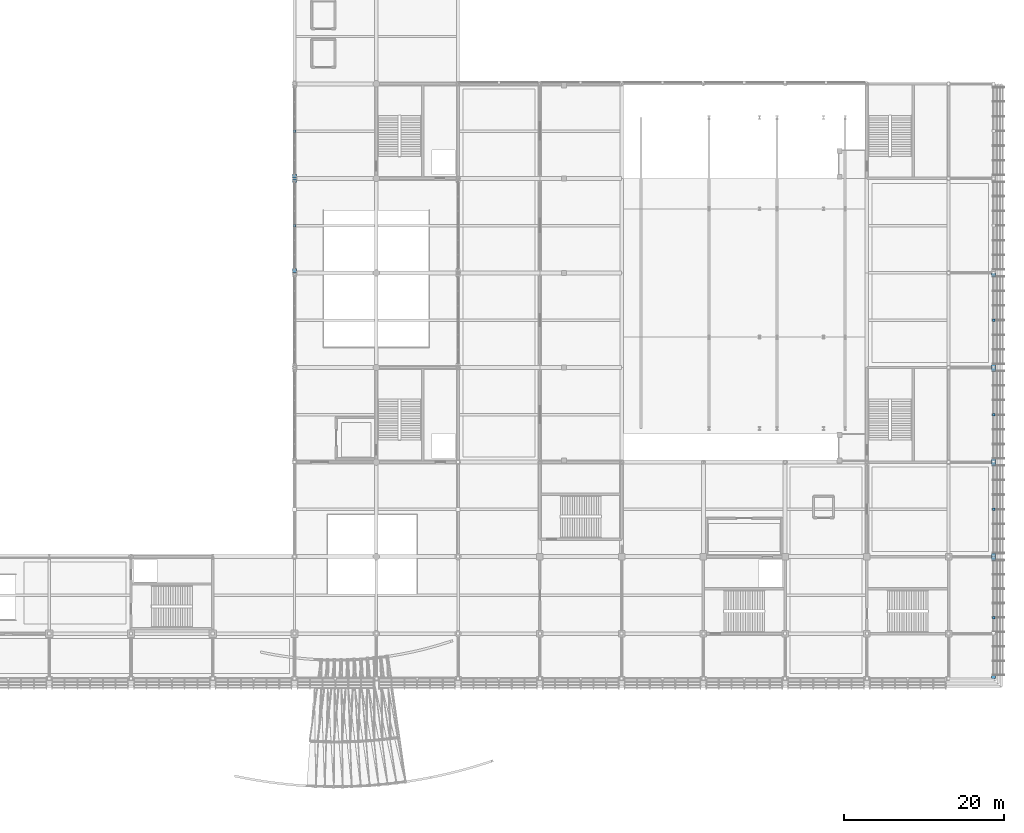
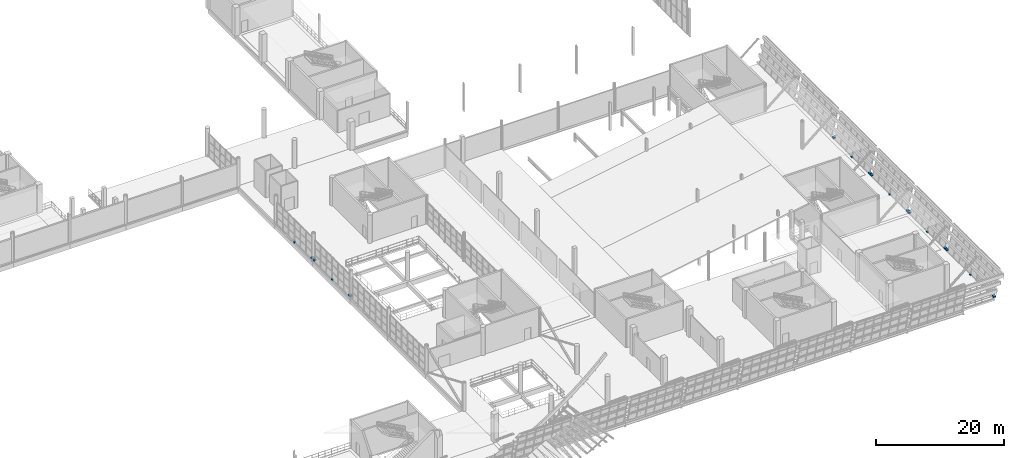
# One storey, part 147 of 175: 17 discrete accessories.
"""IFC4 building model written with IfcOpenShell, lengths in metres."""

from ifc_helpers import new_model, si_unit, direction, frame, origin, origin_2d, place, context, subcontext, project, spatial, rectangle, extrude, material, type_object, element, save


model = new_model("IFC4")

# Units and contexts
model_context = context("Model", 3, precision=1e-05, world=origin(), true_north=direction((0.0, 1.0)))
body_context = subcontext(model_context, "Body", "Model", "MODEL_VIEW")
ifc_project = project(units=[si_unit("LENGTHUNIT", "METRE"), si_unit("AREAUNIT", "SQUARE_METRE"), si_unit("VOLUMEUNIT", "CUBIC_METRE"), si_unit("PLANEANGLEUNIT", "RADIAN"), si_unit("MASSUNIT", "GRAM", prefix="KILO")], contexts=[model_context])

# Site, building, storey
site_placement = place(None, origin())
site = spatial("IfcSite", under=ifc_project, at=site_placement, CompositionType="ELEMENT")
building_placement = place(site_placement, origin())
building = spatial("IfcBuilding", under=site, at=building_placement, Name="Brelvane Convention Centre", CompositionType="ELEMENT")
storey_placement = place(building_placement, frame((0.0, 0.0, 5.39990234375)))
storey = spatial("IfcBuildingStorey", under=building, at=storey_placement, Name="L01", CompositionType="ELEMENT", Elevation=5.39990234375)

# Discrete accessories
ifc_material = material(Name="Steel E350 (350 MPa)", Category="steel")
discrete_accessory_type = type_object("IfcDiscreteAccessoryType", Name="Facade Outrigger Bracket BRK-02", PredefinedType="BRACKET", material=ifc_material)
for number, where, z_axis, x_axis, name in (
    (1, (230.0, 13.840087890625, 0.22998046875), (0.0, 0.0, 1.0), (1.0, 0.0, 0.0), "Curtain Wall Anchor Bracket L01-HULL-E-L01-1-L"),
    (2, (230.0, 28.56005859375, 0.22998046875), (0.0, 0.0, 1.0), (1.0, 0.0, 0.0), "Curtain Wall Anchor Bracket L01-HULL-E-L01-1-R"),
):
    element("IfcDiscreteAccessory", number, at=place(storey_placement, frame(where, z_axis=z_axis, x_axis=x_axis)), inside=storey, type_object=discrete_accessory_type, Name=name, PredefinedType="BRACKET", context=body_context, shape_type="SweptSolid", body=[
        extrude(rectangle(XDim=0.47998046875, YDim=0.47998046875, at=origin_2d()), origin(), (0.0, 0.0, 1.0), 0.239990234375),
    ])
discrete_accessory_1_placement = place(storey_placement, frame((230.0, 21.199951171875, -0.14013671875), z_axis=(0.0, 0.0, 1.0), x_axis=(1.0, 0.0, 0.0)))
element("IfcDiscreteAccessory", 3, at=discrete_accessory_1_placement, inside=storey, type_object=discrete_accessory_type, Name="Curtain Wall Anchor Bracket L01-HULL-E-L01-1-B", PredefinedType="BRACKET", context=body_context, shape_type="SweptSolid", body=[
    extrude(rectangle(XDim=0.320068359375, YDim=0.320068359375, at=origin_2d()), origin(), (0.0, 0.0, 1.0), 0.280029296875),
])
for number, where, z_axis, x_axis, name in (
    (4, (230.0, 29.0400390625, 0.22998046875), (0.0, 0.0, 1.0), (1.0, 0.0, 0.0), "Curtain Wall Anchor Bracket L01-HULL-E-L01-2-L"),
    (5, (230.0, 40.360107421875, 0.22998046875), (0.0, 0.0, 1.0), (1.0, 0.0, 0.0), "Curtain Wall Anchor Bracket L01-HULL-E-L01-2-R"),
):
    element("IfcDiscreteAccessory", number, at=place(storey_placement, frame(where, z_axis=z_axis, x_axis=x_axis)), inside=storey, type_object=discrete_accessory_type, Name=name, PredefinedType="BRACKET", context=body_context, shape_type="SweptSolid", body=[
        extrude(rectangle(XDim=0.47998046875, YDim=0.47998046875, at=origin_2d()), origin(), (0.0, 0.0, 1.0), 0.239990234375),
    ])
discrete_accessory_2_placement = place(storey_placement, frame((230.0, 34.699951171875, -0.14013671875), z_axis=(0.0, 0.0, 1.0), x_axis=(1.0, 0.0, 0.0)))
element("IfcDiscreteAccessory", 6, at=discrete_accessory_2_placement, inside=storey, type_object=discrete_accessory_type, Name="Curtain Wall Anchor Bracket L01-HULL-E-L01-2-B", PredefinedType="BRACKET", context=body_context, shape_type="SweptSolid", body=[
    extrude(rectangle(XDim=0.320068359375, YDim=0.320068359375, at=origin_2d()), origin(), (0.0, 0.0, 1.0), 0.280029296875),
])
for number, where, z_axis, x_axis, name in (
    (7, (230.0, 40.840087890625, 0.22998046875), (0.0, 0.0, 1.0), (1.0, 0.0, 0.0), "Curtain Wall Anchor Bracket L01-HULL-E-L01-3-L"),
    (8, (230.0, 52.159912109375, 0.22998046875), (0.0, 0.0, 1.0), (1.0, 0.0, 0.0), "Curtain Wall Anchor Bracket L01-HULL-E-L01-3-R"),
):
    element("IfcDiscreteAccessory", number, at=place(storey_placement, frame(where, z_axis=z_axis, x_axis=x_axis)), inside=storey, type_object=discrete_accessory_type, Name=name, PredefinedType="BRACKET", context=body_context, shape_type="SweptSolid", body=[
        extrude(rectangle(XDim=0.47998046875, YDim=0.47998046875, at=origin_2d()), origin(), (0.0, 0.0, 1.0), 0.239990234375),
    ])
discrete_accessory_3_placement = place(storey_placement, frame((230.0, 46.5, -0.14013671875), z_axis=(0.0, 0.0, 1.0), x_axis=(1.0, 0.0, 0.0)))
element("IfcDiscreteAccessory", 9, at=discrete_accessory_3_placement, inside=storey, type_object=discrete_accessory_type, Name="Curtain Wall Anchor Bracket L01-HULL-E-L01-3-B", PredefinedType="BRACKET", context=body_context, shape_type="SweptSolid", body=[
    extrude(rectangle(XDim=0.320068359375, YDim=0.320068359375, at=origin_2d()), origin(), (0.0, 0.0, 1.0), 0.280029296875),
])
for number, where, z_axis, x_axis, name in (
    (10, (230.0, 52.639892578125, 0.22998046875), (0.0, 0.0, 1.0), (1.0, 0.0, 0.0), "Curtain Wall Anchor Bracket L01-HULL-E-L01-4-L"),
    (11, (230.0, 63.9599609375, 0.22998046875), (0.0, 0.0, 1.0), (1.0, 0.0, 0.0), "Curtain Wall Anchor Bracket L01-HULL-E-L01-4-R"),
):
    element("IfcDiscreteAccessory", number, at=place(storey_placement, frame(where, z_axis=z_axis, x_axis=x_axis)), inside=storey, type_object=discrete_accessory_type, Name=name, PredefinedType="BRACKET", context=body_context, shape_type="SweptSolid", body=[
        extrude(rectangle(XDim=0.47998046875, YDim=0.47998046875, at=origin_2d()), origin(), (0.0, 0.0, 1.0), 0.239990234375),
    ])
discrete_accessory_4_placement = place(storey_placement, frame((230.0, 58.300048828125, -0.14013671875), z_axis=(0.0, 0.0, 1.0), x_axis=(1.0, 0.0, 0.0)))
element("IfcDiscreteAccessory", 12, at=discrete_accessory_4_placement, inside=storey, type_object=discrete_accessory_type, Name="Curtain Wall Anchor Bracket L01-HULL-E-L01-4-B", PredefinedType="BRACKET", context=body_context, shape_type="SweptSolid", body=[
    extrude(rectangle(XDim=0.320068359375, YDim=0.320068359375, at=origin_2d()), origin(), (0.0, 0.0, 1.0), 0.280029296875),
])
for number, where, z_axis, x_axis, name in (
    (13, (142.800048828125, 64.489990234375, 0.22998046875), (0.0, 0.0, 1.0), (1.0, 0.0, 0.0), "Curtain Wall Anchor Bracket L01-GAL-ATRIUM-W-3-L"),
    (14, (142.800048828125, 75.7099609375, 0.22998046875), (0.0, 0.0, 1.0), (1.0, 0.0, 0.0), "Curtain Wall Anchor Bracket L01-GAL-ATRIUM-W-3-R"),
):
    element("IfcDiscreteAccessory", number, at=place(storey_placement, frame(where, z_axis=z_axis, x_axis=x_axis)), inside=storey, type_object=discrete_accessory_type, Name=name, PredefinedType="BRACKET", context=body_context, shape_type="SweptSolid", body=[
        extrude(rectangle(XDim=0.47998046875, YDim=0.47998046875, at=origin_2d()), origin(), (0.0, 0.0, 1.0), 0.239990234375),
    ])
discrete_accessory_5_placement = place(storey_placement, frame((142.800048828125, 70.10009765625, -0.14013671875), z_axis=(0.0, 0.0, 1.0), x_axis=(1.0, 0.0, 0.0)))
element("IfcDiscreteAccessory", 15, at=discrete_accessory_5_placement, inside=storey, type_object=discrete_accessory_type, Name="Curtain Wall Anchor Bracket L01-GAL-ATRIUM-W-3-B", PredefinedType="BRACKET", context=body_context, shape_type="SweptSolid", body=[
    extrude(rectangle(XDim=0.320068359375, YDim=0.320068359375, at=origin_2d()), origin(), (0.0, 0.0, 1.0), 0.280029296875),
])
discrete_accessory_6_placement = place(storey_placement, frame((142.800048828125, 76.2900390625, 0.22998046875), z_axis=(0.0, 0.0, 1.0), x_axis=(1.0, 0.0, 0.0)))
element("IfcDiscreteAccessory", 16, at=discrete_accessory_6_placement, inside=storey, type_object=discrete_accessory_type, Name="Curtain Wall Anchor Bracket L01-GAL-ATRIUM-W-4-L", PredefinedType="BRACKET", context=body_context, shape_type="SweptSolid", body=[
    extrude(rectangle(XDim=0.47998046875, YDim=0.47998046875, at=origin_2d()), origin(), (0.0, 0.0, 1.0), 0.239990234375),
])
discrete_accessory_7_placement = place(storey_placement, frame((142.800048828125, 81.89990234375, -0.14013671875), z_axis=(0.0, 0.0, 1.0), x_axis=(1.0, 0.0, 0.0)))
element("IfcDiscreteAccessory", 17, at=discrete_accessory_7_placement, inside=storey, type_object=discrete_accessory_type, Name="Curtain Wall Anchor Bracket L01-GAL-ATRIUM-W-4-B", PredefinedType="BRACKET", context=body_context, shape_type="SweptSolid", body=[
    extrude(rectangle(XDim=0.320068359375, YDim=0.320068359375, at=origin_2d()), origin(), (0.0, 0.0, 1.0), 0.280029296875),
])

save(model, "model.ifc")
